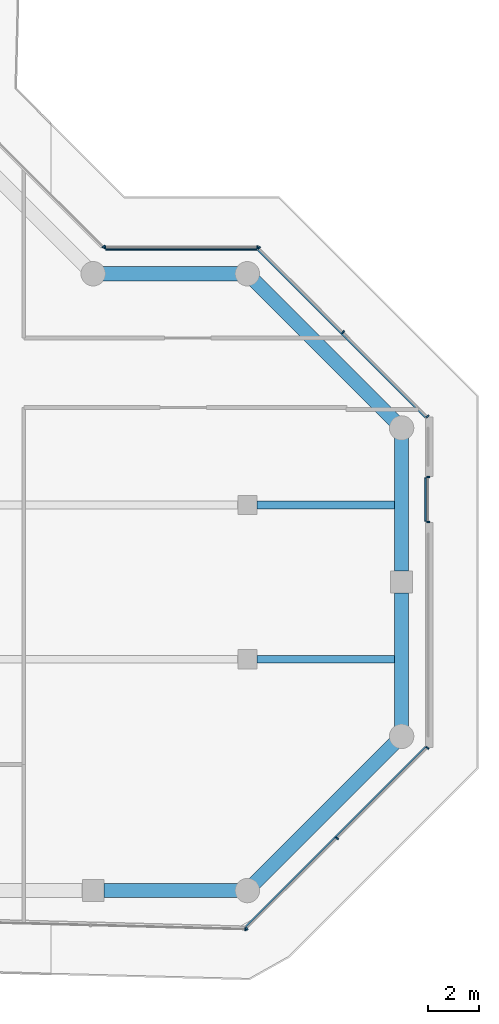
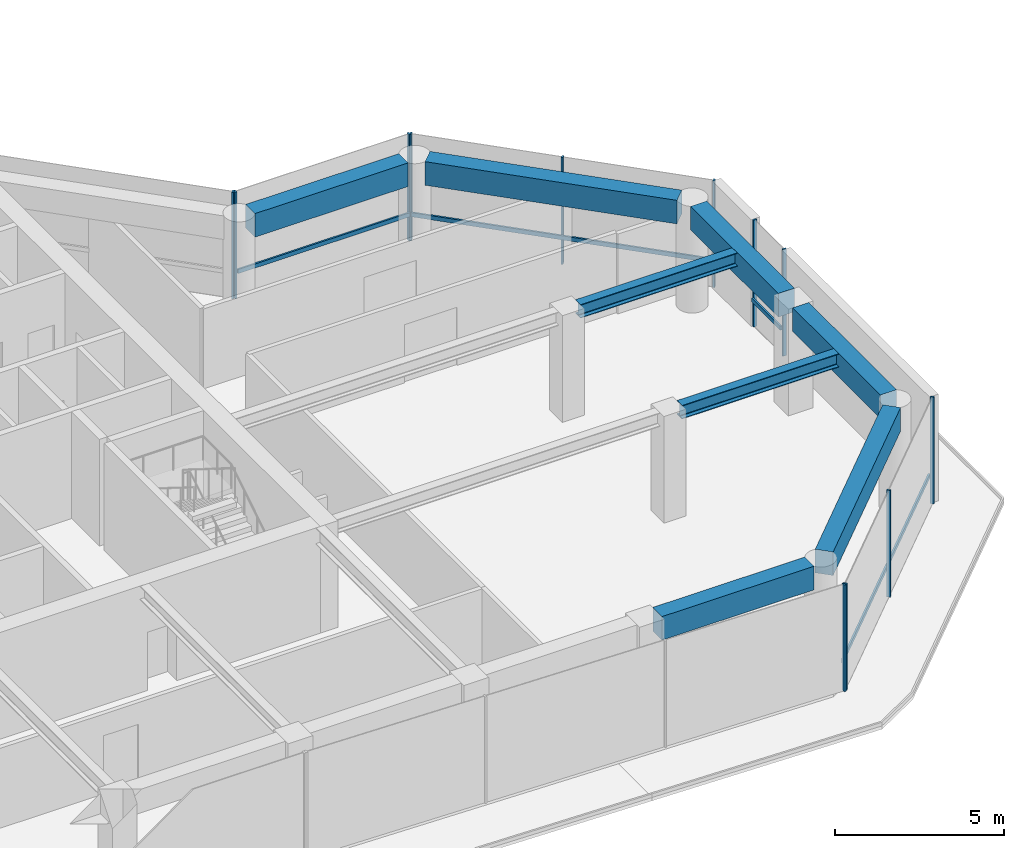
# One storey, part 6 of 19: 16 members, 8 beams, 6 elements without a shape of their own.
"""IFC4 building model written with IfcOpenShell, lengths in metres."""

from ifc_helpers import new_model, si_unit, direction, frame, origin, origin_2d, place, context, subcontext, project, spatial, rectangle, i_section, extrude, material, layer, layer_set, material_profile, profile_set, type_object, element, aggregate, save


model = new_model("IFC4")

# Units and contexts
model_context = context("Model", 3, precision=1e-05, world=origin(), true_north=direction((0.0, 1.0)))
body_context = subcontext(model_context, "Body", "Model", "MODEL_VIEW")
ifc_project = project(units=[si_unit("LENGTHUNIT", "METRE"), si_unit("AREAUNIT", "SQUARE_METRE"), si_unit("VOLUMEUNIT", "CUBIC_METRE"), si_unit("PLANEANGLEUNIT", "RADIAN"), si_unit("MASSUNIT", "GRAM", prefix="KILO")], contexts=[model_context])

# Site, building, storey
site_placement = place(None, origin())
site = spatial("IfcSite", under=ifc_project, at=site_placement, CompositionType="ELEMENT")
building_placement = place(site_placement, origin())
building = spatial("IfcBuilding", under=site, at=building_placement, Name="Welwitschia Terrace Campus", CompositionType="ELEMENT")
storey_placement = place(building_placement, frame((0.0, 0.0, 163.39990234375)))
storey = spatial("IfcBuildingStorey", under=building, at=storey_placement, Name="L36", CompositionType="ELEMENT", Elevation=163.39990234375)

# Beams
ifc_material_1 = material(Name="Steel S355", Category="steel")
ifc_material_profile_1 = material_profile(ifc_material_1, i_section(OverallWidth=0.300048828125, OverallDepth=0.489990234375, WebThickness=0.011962890625, FlangeThickness=0.02294921875, FilletRadius=0.027099609375, at=origin_2d()))
ifc_profile_set_1 = profile_set([ifc_material_profile_1], Name="Steel S355")
beam_type_1 = type_object("IfcBeamType", Name="Interior girder HE 500 A", PredefinedType="BEAM", material=ifc_profile_set_1)
for number, where, z_axis, x_axis, name in (
    (1, (36.37548828125, 5.0, 3.60498046875), (1.0, 0.0, 0.0), (0.0, 1.0, 0.0), "Girder GB4"),
    (2, (36.37548828125, 11.0, 3.60498046875), (1.0, 0.0, 0.0), (0.0, 1.0, 0.0), "Girder GB4"),
):
    element("IfcBeam", number, at=place(storey_placement, frame(where, z_axis=z_axis, x_axis=x_axis)), inside=storey, type_object=beam_type_1, Name=name, PredefinedType="BEAM", context=body_context, shape_type="SweptSolid", body=[
        extrude(i_section(OverallWidth=0.300048828125, OverallDepth=0.489990234375, WebThickness=0.011962890625, FlangeThickness=0.02294921875, FilletRadius=0.027099609375, at=origin_2d()), origin(), (0.0, 0.0, 1.0), 5.634521484375),
    ])

# Curtain wall, member
ifc_material_2 = material(Name="Bronze anodised aluminium", Category="aluminium")
ifc_layer = layer(ifc_material_2, 0.1201171875)
ifc_layer_set = layer_set([ifc_layer], Name="Bronze anodised aluminium")
curtain_wall_type = type_object("IfcCurtainWallType", Name="Curtain wall CW2 tower 6000", PredefinedType="NOTDEFINED", material=ifc_layer_set)
curtain_wall_1_placement = place(storey_placement, origin())
curtain_wall_1 = element("IfcCurtainWall", 3, at=curtain_wall_1_placement, inside=storey, type_object=curtain_wall_type, Name="CW L36.4.0", PredefinedType="NOTDEFINED")
ifc_material_3 = material(Name="Bronze anodised aluminium", Category="aluminium")
ifc_material_profile_2 = material_profile(ifc_material_3, rectangle(XDim=0.1201171875, YDim=0.06005859375, at=origin_2d()))
ifc_profile_set_2 = profile_set([ifc_material_profile_2], Name="Bronze anodised aluminium")
member_type_1 = type_object("IfcMemberType", Name="Mullion 60x120", PredefinedType="MULLION", material=ifc_profile_set_2)
member_1_placement = place(storey_placement, frame((35.92138671875, -5.50439453125, 0.0), z_axis=(0.0, 0.0, 1.0), x_axis=(0.026176948308, 0.999657324976, 0.0)))
member_1 = element("IfcMember", 4, at=member_1_placement, type_object=member_type_1, Name="Mullion L36.4.0.3", PredefinedType="MULLION", context=body_context, shape_type="SweptSolid", body=[
    extrude(rectangle(XDim=0.1201171875, YDim=0.06005859375, at=origin_2d()), origin(), (0.0, 0.0, 1.0), 3.85009765625),
])
aggregate(curtain_wall_1, [member_1])

# Curtain wall, members
curtain_wall_2_placement = place(storey_placement, origin())
curtain_wall_2 = element("IfcCurtainWall", 5, at=curtain_wall_2_placement, inside=storey, type_object=curtain_wall_type, Name="CW L36.5.0", PredefinedType="NOTDEFINED")
member_2_placement = place(storey_placement, frame((35.97265625, -5.484130859375, 0.0), z_axis=(0.0, 0.0, 1.0), x_axis=(-0.707106781187, 0.707106781187, 0.0)))
member_2 = element("IfcMember", 6, at=member_2_placement, type_object=member_type_1, Name="Mullion L36.5.0.0", PredefinedType="MULLION", context=body_context, shape_type="SweptSolid", body=[
    extrude(rectangle(XDim=0.1201171875, YDim=0.06005859375, at=origin_2d()), origin(), (0.0, 0.0, 1.0), 3.85009765625),
])
member_3_placement = place(storey_placement, frame((39.49072265625, -1.966064453125, 0.0), z_axis=(0.0, 0.0, 1.0), x_axis=(-0.707106781187, 0.707106781187, 0.0)))
member_3 = element("IfcMember", 7, at=member_3_placement, type_object=member_type_1, Name="Mullion L36.5.0.1", PredefinedType="MULLION", context=body_context, shape_type="SweptSolid", body=[
    extrude(rectangle(XDim=0.1201171875, YDim=0.06005859375, at=origin_2d()), origin(), (0.0, 0.0, 1.0), 3.85009765625),
])
member_4_placement = place(storey_placement, frame((43.0087890625, 1.55224609375, 0.0), z_axis=(0.0, 0.0, 1.0), x_axis=(-0.707106781187, 0.707106781187, 0.0)))
member_4 = element("IfcMember", 8, at=member_4_placement, type_object=member_type_1, Name="Mullion L36.5.0.2", PredefinedType="MULLION", context=body_context, shape_type="SweptSolid", body=[
    extrude(rectangle(XDim=0.1201171875, YDim=0.06005859375, at=origin_2d()), origin(), (0.0, 0.0, 1.0), 3.85009765625),
])

curtain_wall_3_placement = place(storey_placement, origin())
curtain_wall_3 = element("IfcCurtainWall", 9, at=curtain_wall_3_placement, inside=storey, type_object=curtain_wall_type, Name="CW L36.6.S0", PredefinedType="NOTDEFINED")
member_5_placement = place(storey_placement, frame((43.030029296875, 10.34326171875, 0.0), z_axis=(0.0, 0.0, 1.0), x_axis=(-1.0, 0.0, 0.0)))
member_5 = element("IfcMember", 10, at=member_5_placement, type_object=member_type_1, Name="Mullion L36.6.S0.0", PredefinedType="MULLION", context=body_context, shape_type="SweptSolid", body=[
    extrude(rectangle(XDim=0.1201171875, YDim=0.06005859375, at=origin_2d()), origin(), (0.0, 0.0, 1.0), 3.85009765625),
])
member_6_placement = place(storey_placement, frame((43.030029296875, 12.083251953125, 0.0), z_axis=(0.0, 0.0, 1.0), x_axis=(-1.0, 0.0, 0.0)))
member_6 = element("IfcMember", 11, at=member_6_placement, type_object=member_type_1, Name="Mullion L36.6.S0.1", PredefinedType="MULLION", context=body_context, shape_type="SweptSolid", body=[
    extrude(rectangle(XDim=0.1201171875, YDim=0.06005859375, at=origin_2d()), origin(), (0.0, 0.0, 1.0), 3.85009765625),
])

curtain_wall_4_placement = place(storey_placement, origin())
curtain_wall_4 = element("IfcCurtainWall", 12, at=curtain_wall_4_placement, inside=storey, type_object=curtain_wall_type, Name="CW L36.7.0", PredefinedType="NOTDEFINED")
member_7_placement = place(storey_placement, frame((43.0087890625, 14.44775390625, 0.0), z_axis=(0.0, 0.0, 1.0), x_axis=(-0.707106781187, -0.707106781187, 0.0)))
member_7 = element("IfcMember", 13, at=member_7_placement, type_object=member_type_1, Name="Mullion L36.7.0.0", PredefinedType="MULLION", context=body_context, shape_type="SweptSolid", body=[
    extrude(rectangle(XDim=0.1201171875, YDim=0.06005859375, at=origin_2d()), origin(), (0.0, 0.0, 1.0), 3.85009765625),
])
member_8_placement = place(storey_placement, frame((39.728271484375, 17.728271484375, 0.0), z_axis=(0.0, 0.0, 1.0), x_axis=(-0.707106781187, -0.707106781187, 0.0)))
member_8 = element("IfcMember", 14, at=member_8_placement, type_object=member_type_1, Name="Mullion L36.7.0.1", PredefinedType="MULLION", context=body_context, shape_type="SweptSolid", body=[
    extrude(rectangle(XDim=0.1201171875, YDim=0.06005859375, at=origin_2d()), origin(), (0.0, 0.0, 1.0), 3.85009765625),
])
member_9_placement = place(storey_placement, frame((36.44775390625, 21.0087890625, 0.0), z_axis=(0.0, 0.0, 1.0), x_axis=(-0.707106781187, -0.707106781187, 0.0)))
member_9 = element("IfcMember", 15, at=member_9_placement, type_object=member_type_1, Name="Mullion L36.7.0.2", PredefinedType="MULLION", context=body_context, shape_type="SweptSolid", body=[
    extrude(rectangle(XDim=0.1201171875, YDim=0.06005859375, at=origin_2d()), origin(), (0.0, 0.0, 1.0), 3.85009765625),
])

curtain_wall_5_placement = place(storey_placement, origin())
curtain_wall_5 = element("IfcCurtainWall", 16, at=curtain_wall_5_placement, inside=storey, type_object=curtain_wall_type, Name="CW L36.8.0", PredefinedType="NOTDEFINED")
member_10_placement = place(storey_placement, frame((36.396728515625, 21.030029296875, 0.0), z_axis=(0.0, 0.0, 1.0), x_axis=(0.0, -1.0, 0.0)))
member_10 = element("IfcMember", 17, at=member_10_placement, type_object=member_type_1, Name="Mullion L36.8.0.0", PredefinedType="MULLION", context=body_context, shape_type="SweptSolid", body=[
    extrude(rectangle(XDim=0.1201171875, YDim=0.06005859375, at=origin_2d()), origin(), (0.0, 0.0, 1.0), 3.85009765625),
])
member_11_placement = place(storey_placement, frame((30.45654296875, 21.030029296875, 0.0), z_axis=(0.0, 0.0, 1.0), x_axis=(0.0, -1.0, 0.0)))
member_11 = element("IfcMember", 18, at=member_11_placement, type_object=member_type_1, Name="Mullion L36.8.0.1", PredefinedType="MULLION", context=body_context, shape_type="SweptSolid", body=[
    extrude(rectangle(XDim=0.1201171875, YDim=0.06005859375, at=origin_2d()), origin(), (0.0, 0.0, 1.0), 3.85009765625),
])

# Curtain wall, member
curtain_wall_6_placement = place(storey_placement, origin())
curtain_wall_6 = element("IfcCurtainWall", 19, at=curtain_wall_6_placement, inside=storey, type_object=curtain_wall_type, Name="CW L36.9.0", PredefinedType="NOTDEFINED")
member_12_placement = place(storey_placement, frame((30.405517578125, 21.05126953125, 0.0), z_axis=(0.0, 0.0, 1.0), x_axis=(-0.707106781187, -0.707106781187, 0.0)))
member_12 = element("IfcMember", 20, at=member_12_placement, type_object=member_type_1, Name="Mullion L36.9.0.0", PredefinedType="MULLION", context=body_context, shape_type="SweptSolid", body=[
    extrude(rectangle(XDim=0.1201171875, YDim=0.06005859375, at=origin_2d()), origin(), (0.0, 0.0, 1.0), 3.85009765625),
])
aggregate(curtain_wall_6, [member_12])

# Beams
ifc_material_4 = material(Name="Concrete C50/60", Category="concrete")
ifc_material_profile_3 = material_profile(ifc_material_4, rectangle(XDim=0.550048828125, YDim=0.85009765625, at=origin_2d()))
ifc_profile_set_3 = profile_set([ifc_material_profile_3], Name="Concrete C50/60")
beam_type_2 = type_object("IfcBeamType", Name="Ring spandrel 550x850", PredefinedType="SPANDREL", material=ifc_profile_set_3)
beam_1_placement = place(storey_placement, frame((30.425537109375, -4.0, 3.425048828125), z_axis=(1.0, 0.0, 0.0), x_axis=(0.0, 1.0, 0.0)))
element("IfcBeam", 21, at=beam_1_placement, inside=storey, type_object=beam_type_2, Name="Spandrel SP3", PredefinedType="SPANDREL", context=body_context, shape_type="SweptSolid", body=[
    extrude(rectangle(XDim=0.550048828125, YDim=0.85009765625, at=origin_2d()), origin(), (0.0, 0.0, 1.0), 5.1865234375),
])
beam_2_placement = place(storey_placement, frame((36.2744140625, -3.7255859375, 3.425048828125), z_axis=(0.707106781187, 0.707106781187, 0.0), x_axis=(-0.707106781187, 0.707106781187, 0.0)))
element("IfcBeam", 22, at=beam_2_placement, inside=storey, type_object=beam_type_2, Name="Spandrel SP3", PredefinedType="SPANDREL", context=body_context, shape_type="SweptSolid", body=[
    extrude(rectangle(XDim=0.550048828125, YDim=0.85009765625, at=origin_2d()), origin(), (0.0, 0.0, 1.0), 7.709228515625),
])
for number, where, z_axis, x_axis, name in (
    (23, (42.0, 2.387939453125, 3.425048828125), (0.0, 1.0, 0.0), (-1.0, 0.0, 0.0), "Spandrel SP3"),
    (24, (42.0, 8.425537109375, 3.425048828125), (0.0, 1.0, 0.0), (-1.0, 0.0, 0.0), "Spandrel SP3"),
):
    element("IfcBeam", number, at=place(storey_placement, frame(where, z_axis=z_axis, x_axis=x_axis)), inside=storey, type_object=beam_type_2, Name=name, PredefinedType="SPANDREL", context=body_context, shape_type="SweptSolid", body=[
        extrude(rectangle(XDim=0.550048828125, YDim=0.85009765625, at=origin_2d()), origin(), (0.0, 0.0, 1.0), 5.1865234375),
    ])
beam_3_placement = place(storey_placement, frame((41.7255859375, 14.2744140625, 3.425048828125), z_axis=(-0.707106781187, 0.707106781187, 0.0), x_axis=(-0.707106781187, -0.707106781187, 0.0)))
element("IfcBeam", 25, at=beam_3_placement, inside=storey, type_object=beam_type_2, Name="Spandrel SP3", PredefinedType="SPANDREL", context=body_context, shape_type="SweptSolid", body=[
    extrude(rectangle(XDim=0.550048828125, YDim=0.85009765625, at=origin_2d()), origin(), (0.0, 0.0, 1.0), 7.709228515625),
])
beam_4_placement = place(storey_placement, frame((35.612060546875, 20.0, 3.425048828125), z_axis=(-1.0, 0.0, 0.0), x_axis=(0.0, -1.0, 0.0)))
element("IfcBeam", 26, at=beam_4_placement, inside=storey, type_object=beam_type_2, Name="Spandrel SP3", PredefinedType="SPANDREL", context=body_context, shape_type="SweptSolid", body=[
    extrude(rectangle(XDim=0.550048828125, YDim=0.85009765625, at=origin_2d()), origin(), (0.0, 0.0, 1.0), 5.22412109375),
])

# Member
ifc_material_5 = material(Name="Bronze anodised aluminium", Category="aluminium")
ifc_material_profile_4 = material_profile(ifc_material_5, rectangle(XDim=0.06005859375, YDim=0.14990234375, at=origin_2d()))
ifc_profile_set_4 = profile_set([ifc_material_profile_4], Name="Bronze anodised aluminium")
member_type_2 = type_object("IfcMemberType", Name="Transom 60x150", PredefinedType="USERDEFINED", material=ifc_profile_set_4)
member_13_placement = place(storey_placement, frame((35.93017578125, -5.399169921875, 1.0), z_axis=(0.707106781187, 0.707106781187, 0.0), x_axis=(-0.707106781187, 0.707106781187, 0.0)))
member_13 = element("IfcMember", 27, at=member_13_placement, type_object=member_type_2, Name="Transom L36.5.0", ObjectType="TRANSOM", PredefinedType="USERDEFINED", context=body_context, shape_type="SweptSolid", body=[
    extrude(rectangle(XDim=0.06005859375, YDim=0.14990234375, at=origin_2d()), origin(), (0.0, 0.0, 1.0), 9.890625),
])

aggregate(curtain_wall_2, [member_2, member_3, member_4, member_13])

member_14_placement = place(storey_placement, frame((42.93994140625, 10.373291015625, 1.0), z_axis=(0.0, 1.0, 0.0), x_axis=(-1.0, 0.0, 0.0)))
member_14 = element("IfcMember", 28, at=member_14_placement, type_object=member_type_2, Name="Transom L36.6.S0", ObjectType="TRANSOM", PredefinedType="USERDEFINED", context=body_context, shape_type="SweptSolid", body=[
    extrude(rectangle(XDim=0.06005859375, YDim=0.14990234375, at=origin_2d()), origin(), (0.0, 0.0, 1.0), 1.679931640625),
])

aggregate(curtain_wall_3, [member_5, member_6, member_14])

member_15_placement = place(storey_placement, frame((42.923828125, 14.405517578125, 1.0), z_axis=(-0.707106781187, 0.707106781187, 0.0), x_axis=(-0.707106781187, -0.707106781187, 0.0)))
member_15 = element("IfcMember", 29, at=member_15_placement, type_object=member_type_2, Name="Transom L36.7.0", ObjectType="TRANSOM", PredefinedType="USERDEFINED", context=body_context, shape_type="SweptSolid", body=[
    extrude(rectangle(XDim=0.06005859375, YDim=0.14990234375, at=origin_2d()), origin(), (0.0, 0.0, 1.0), 9.21826171875),
])

aggregate(curtain_wall_4, [member_7, member_8, member_9, member_15])

member_16_placement = place(storey_placement, frame((36.36669921875, 20.93994140625, 1.0), z_axis=(-1.0, 0.0, 0.0), x_axis=(0.0, -1.0, 0.0)))
member_16 = element("IfcMember", 30, at=member_16_placement, type_object=member_type_2, Name="Transom L36.8.0", ObjectType="TRANSOM", PredefinedType="USERDEFINED", context=body_context, shape_type="SweptSolid", body=[
    extrude(rectangle(XDim=0.06005859375, YDim=0.14990234375, at=origin_2d()), origin(), (0.0, 0.0, 1.0), 5.880126953125),
])

aggregate(curtain_wall_5, [member_10, member_11, member_16])

save(model, "model.ifc")
